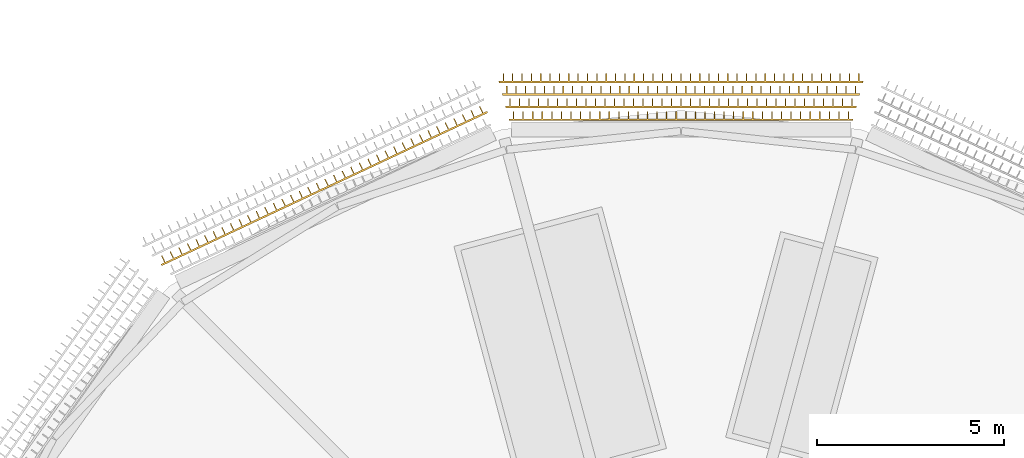
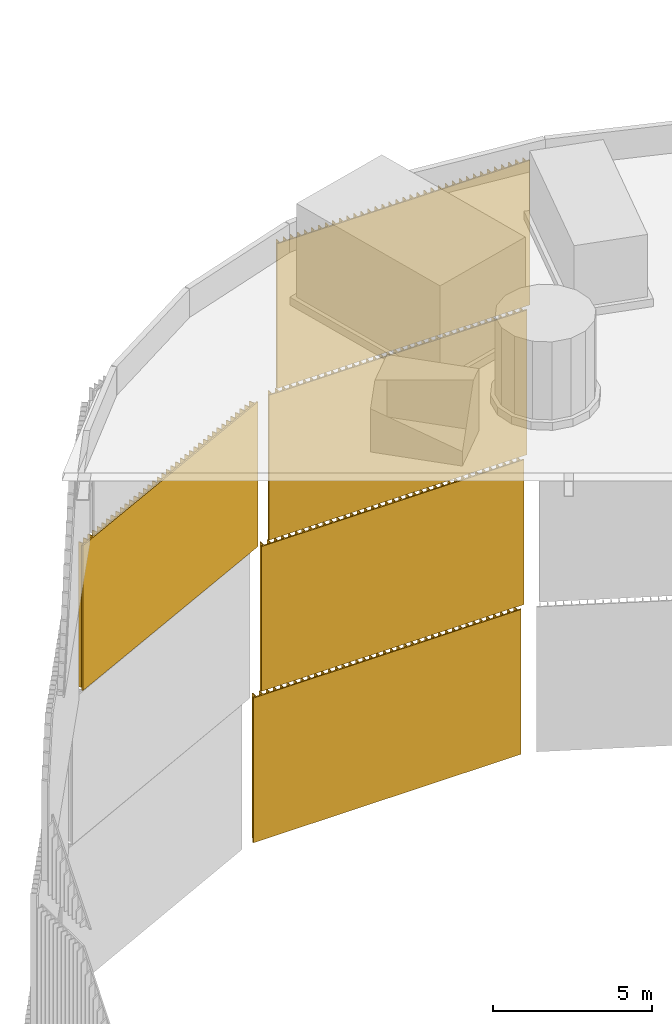
# One storey, part 11 of 24: 5 coverings.
"""IFC4 building model written with IfcOpenShell, lengths in metres."""

from ifc_helpers import new_model, si_unit, direction, frame, origin, place, context, subcontext, project, spatial, polyline, outline, extrude, material, type_object, element, save


model = new_model("IFC4")

# Units and contexts
model_context = context("Model", 3, precision=1e-05, world=origin(), true_north=direction((0.0, 1.0)))
body_context = subcontext(model_context, "Body", "Model", "MODEL_VIEW")
ifc_project = project(units=[si_unit("LENGTHUNIT", "METRE"), si_unit("AREAUNIT", "SQUARE_METRE"), si_unit("VOLUMEUNIT", "CUBIC_METRE"), si_unit("PLANEANGLEUNIT", "RADIAN"), si_unit("MASSUNIT", "GRAM", prefix="KILO")], contexts=[model_context])

# Site, building, storey
site_placement = place(None, origin())
site = spatial("IfcSite", under=ifc_project, at=site_placement, CompositionType="ELEMENT")
building_placement = place(site_placement, origin())
building = spatial("IfcBuilding", under=site, at=building_placement, Name="Rimbun Link Towers", CompositionType="ELEMENT")
storey_placement = place(building_placement, frame((0.0, 0.0, 294.89990234375)))
storey = spatial("IfcBuildingStorey", under=building, at=storey_placement, Name="Roof cap", CompositionType="ELEMENT", Elevation=294.89990234375)

# Coverings
ifc_material = material(Name="Terracotta", Category="masonry")
covering_type = type_object("IfcCoveringType", Name="TERRACOTTA CLADDING screen fins", PredefinedType="CLADDING", material=ifc_material)
covering_1_placement = place(storey_placement, frame((0.0, 0.0, -23.087890625)))
element("IfcCovering", 1, at=covering_1_placement, inside=storey, type_object=covering_type, Name="TERRACOTTA CLADDING screen", PredefinedType="CLADDING", context=body_context, shape_type="SweptSolid", body=[
    extrude(outline(polyline([(-26.86474609375, 19.212890625), (-26.97509765625, 19.212890625), (-26.97509765625, 19.4130859375), (-27.005126953125, 19.4130859375), (-27.005126953125, 19.212890625), (-27.2255859375, 19.212890625), (-27.2255859375, 19.4130859375), (-27.255615234375, 19.4130859375), (-27.255615234375, 19.212890625), (-27.47607421875, 19.212890625), (-27.47607421875, 19.4130859375), (-27.506103515625, 19.4130859375), (-27.506103515625, 19.212890625), (-27.726806640625, 19.212890625), (-27.726806640625, 19.4130859375), (-27.756591796875, 19.4130859375), (-27.756591796875, 19.212890625), (-27.977294921875, 19.212890625), (-27.977294921875, 19.4130859375), (-28.007080078125, 19.4130859375), (-28.007080078125, 19.212890625), (-28.227783203125, 19.212890625), (-28.227783203125, 19.4130859375), (-28.2578125, 19.4130859375), (-28.2578125, 19.212890625), (-28.478271484375, 19.212890625), (-28.478271484375, 19.4130859375), (-28.50830078125, 19.4130859375), (-28.50830078125, 19.212890625), (-28.728759765625, 19.212890625), (-28.728759765625, 19.4130859375), (-28.7587890625, 19.4130859375), (-28.7587890625, 19.212890625), (-28.979248046875, 19.212890625), (-28.979248046875, 19.4130859375), (-29.00927734375, 19.4130859375), (-29.00927734375, 19.212890625), (-29.229736328125, 19.212890625), (-29.229736328125, 19.4130859375), (-29.259765625, 19.4130859375), (-29.259765625, 19.212890625), (-29.480224609375, 19.212890625), (-29.480224609375, 19.4130859375), (-29.51025390625, 19.4130859375), (-29.51025390625, 19.212890625), (-29.730712890625, 19.212890625), (-29.730712890625, 19.4130859375), (-29.7607421875, 19.4130859375), (-29.7607421875, 19.212890625), (-29.9814453125, 19.212890625), (-29.9814453125, 19.4130859375), (-30.011474609375, 19.4130859375), (-30.011474609375, 19.212890625), (-30.23193359375, 19.212890625), (-30.23193359375, 19.4130859375), (-30.261962890625, 19.4130859375), (-30.261962890625, 19.212890625), (-30.482421875, 19.212890625), (-30.482421875, 19.4130859375), (-30.512451171875, 19.4130859375), (-30.512451171875, 19.212890625), (-30.73291015625, 19.212890625), (-30.73291015625, 19.4130859375), (-30.762939453125, 19.4130859375), (-30.762939453125, 19.212890625), (-30.9833984375, 19.212890625), (-30.9833984375, 19.4130859375), (-31.013427734375, 19.4130859375), (-31.013427734375, 19.212890625), (-31.23388671875, 19.212890625), (-31.23388671875, 19.4130859375), (-31.263916015625, 19.4130859375), (-31.263916015625, 19.212890625), (-31.484619140625, 19.212890625), (-31.484619140625, 19.4130859375), (-31.514404296875, 19.4130859375), (-31.514404296875, 19.212890625), (-31.735107421875, 19.212890625), (-31.735107421875, 19.4130859375), (-31.764892578125, 19.4130859375), (-31.764892578125, 19.212890625), (-31.985595703125, 19.212890625), (-31.985595703125, 19.4130859375), (-32.015380859375, 19.4130859375), (-32.015380859375, 19.212890625), (-32.236083984375, 19.212890625), (-32.236083984375, 19.4130859375), (-32.26611328125, 19.4130859375), (-32.26611328125, 19.212890625), (-32.486572265625, 19.212890625), (-32.486572265625, 19.4130859375), (-32.5166015625, 19.4130859375), (-32.5166015625, 19.212890625), (-32.737060546875, 19.212890625), (-32.737060546875, 19.4130859375), (-32.76708984375, 19.4130859375), (-32.76708984375, 19.212890625), (-32.987548828125, 19.212890625), (-32.987548828125, 19.4130859375), (-33.017578125, 19.4130859375), (-33.017578125, 19.212890625), (-33.238037109375, 19.212890625), (-33.238037109375, 19.4130859375), (-33.26806640625, 19.4130859375), (-33.26806640625, 19.212890625), (-33.488525390625, 19.212890625), (-33.488525390625, 19.4130859375), (-33.5185546875, 19.4130859375), (-33.5185546875, 19.212890625), (-33.7392578125, 19.212890625), (-33.7392578125, 19.4130859375), (-33.769287109375, 19.4130859375), (-33.769287109375, 19.212890625), (-33.98974609375, 19.212890625), (-33.98974609375, 19.4130859375), (-34.019775390625, 19.4130859375), (-34.019775390625, 19.212890625), (-34.240234375, 19.212890625), (-34.240234375, 19.4130859375), (-34.270263671875, 19.4130859375), (-34.270263671875, 19.212890625), (-34.49072265625, 19.212890625), (-34.49072265625, 19.4130859375), (-34.520751953125, 19.4130859375), (-34.520751953125, 19.212890625), (-34.7412109375, 19.212890625), (-34.7412109375, 19.4130859375), (-34.771240234375, 19.4130859375), (-34.771240234375, 19.212890625), (-34.99169921875, 19.212890625), (-34.99169921875, 19.4130859375), (-35.021728515625, 19.4130859375), (-35.021728515625, 19.212890625), (-35.2421875, 19.212890625), (-35.2421875, 19.4130859375), (-35.272216796875, 19.4130859375), (-35.272216796875, 19.212890625), (-35.492919921875, 19.212890625), (-35.492919921875, 19.4130859375), (-35.522705078125, 19.4130859375), (-35.522705078125, 19.212890625), (-35.743408203125, 19.212890625), (-35.743408203125, 19.4130859375), (-35.773193359375, 19.4130859375), (-35.773193359375, 19.212890625), (-35.993896484375, 19.212890625), (-35.993896484375, 19.4130859375), (-36.02392578125, 19.4130859375), (-36.02392578125, 19.212890625), (-36.244384765625, 19.212890625), (-36.244384765625, 19.4130859375), (-36.2744140625, 19.4130859375), (-36.2744140625, 19.212890625), (-36.494873046875, 19.212890625), (-36.494873046875, 19.4130859375), (-36.52490234375, 19.4130859375), (-36.52490234375, 19.212890625), (-36.63525390625, 19.212890625), (-36.621826171875, 19.1630859375), (-26.878173828125, 19.1630859375), (-26.86474609375, 19.212890625)])), origin(), (0.0, 0.0, 1.0), 5.575927734375),
])
covering_2_placement = place(storey_placement, frame((0.0, 0.0, -17.087890625)))
element("IfcCovering", 2, at=covering_2_placement, inside=storey, type_object=covering_type, Name="TERRACOTTA CLADDING screen", PredefinedType="CLADDING", context=body_context, shape_type="SweptSolid", body=[
    extrude(outline(polyline([(-26.955322265625, 18.875), (-27.066650390625, 18.875), (-27.066650390625, 19.074951171875), (-27.0966796875, 19.074951171875), (-27.0966796875, 18.875), (-27.319091796875, 18.875), (-27.319091796875, 19.074951171875), (-27.34912109375, 19.074951171875), (-27.34912109375, 18.875), (-27.5712890625, 18.875), (-27.5712890625, 19.074951171875), (-27.601318359375, 19.074951171875), (-27.601318359375, 18.875), (-27.82373046875, 18.875), (-27.82373046875, 19.074951171875), (-27.853759765625, 19.074951171875), (-27.853759765625, 18.875), (-28.075927734375, 18.875), (-28.075927734375, 19.074951171875), (-28.10595703125, 19.074951171875), (-28.10595703125, 18.875), (-28.328369140625, 18.875), (-28.328369140625, 19.074951171875), (-28.3583984375, 19.074951171875), (-28.3583984375, 18.875), (-28.580810546875, 18.875), (-28.580810546875, 19.074951171875), (-28.610595703125, 19.074951171875), (-28.610595703125, 18.875), (-28.8330078125, 18.875), (-28.8330078125, 19.074951171875), (-28.863037109375, 19.074951171875), (-28.863037109375, 18.875), (-29.08544921875, 18.875), (-29.08544921875, 19.074951171875), (-29.115478515625, 19.074951171875), (-29.115478515625, 18.875), (-29.337646484375, 18.875), (-29.337646484375, 19.074951171875), (-29.36767578125, 19.074951171875), (-29.36767578125, 18.875), (-29.590087890625, 18.875), (-29.590087890625, 19.074951171875), (-29.6201171875, 19.074951171875), (-29.6201171875, 18.875), (-29.84228515625, 18.875), (-29.84228515625, 19.074951171875), (-29.872314453125, 19.074951171875), (-29.872314453125, 18.875), (-30.0947265625, 18.875), (-30.0947265625, 19.074951171875), (-30.124755859375, 19.074951171875), (-30.124755859375, 18.875), (-30.34716796875, 18.875), (-30.34716796875, 19.074951171875), (-30.377197265625, 19.074951171875), (-30.377197265625, 18.875), (-30.599365234375, 18.875), (-30.599365234375, 19.074951171875), (-30.62939453125, 19.074951171875), (-30.62939453125, 18.875), (-30.851806640625, 18.875), (-30.851806640625, 19.074951171875), (-30.8818359375, 19.074951171875), (-30.8818359375, 18.875), (-31.10400390625, 18.875), (-31.10400390625, 19.074951171875), (-31.134033203125, 19.074951171875), (-31.134033203125, 18.875), (-31.3564453125, 18.875), (-31.3564453125, 19.074951171875), (-31.386474609375, 19.074951171875), (-31.386474609375, 18.875), (-31.60888671875, 18.875), (-31.60888671875, 19.074951171875), (-31.638916015625, 19.074951171875), (-31.638916015625, 18.875), (-31.861083984375, 18.875), (-31.861083984375, 19.074951171875), (-31.89111328125, 19.074951171875), (-31.89111328125, 18.875), (-32.113525390625, 18.875), (-32.113525390625, 19.074951171875), (-32.1435546875, 19.074951171875), (-32.1435546875, 18.875), (-32.365966796875, 18.875), (-32.365966796875, 19.074951171875), (-32.39599609375, 19.074951171875), (-32.39599609375, 18.875), (-32.6181640625, 18.875), (-32.6181640625, 19.074951171875), (-32.648193359375, 19.074951171875), (-32.648193359375, 18.875), (-32.87060546875, 18.875), (-32.87060546875, 19.074951171875), (-32.900634765625, 19.074951171875), (-32.900634765625, 18.875), (-33.122802734375, 18.875), (-33.122802734375, 19.074951171875), (-33.15283203125, 19.074951171875), (-33.15283203125, 18.875), (-33.375244140625, 18.875), (-33.375244140625, 19.074951171875), (-33.4052734375, 19.074951171875), (-33.4052734375, 18.875), (-33.627685546875, 18.875), (-33.627685546875, 19.074951171875), (-33.65771484375, 19.074951171875), (-33.65771484375, 18.875), (-33.8798828125, 18.875), (-33.8798828125, 19.074951171875), (-33.909912109375, 19.074951171875), (-33.909912109375, 18.875), (-34.13232421875, 18.875), (-34.13232421875, 19.074951171875), (-34.162353515625, 19.074951171875), (-34.162353515625, 18.875), (-34.384521484375, 18.875), (-34.384521484375, 19.074951171875), (-34.41455078125, 19.074951171875), (-34.41455078125, 18.875), (-34.636962890625, 18.875), (-34.636962890625, 19.074951171875), (-34.6669921875, 19.074951171875), (-34.6669921875, 18.875), (-34.889404296875, 18.875), (-34.889404296875, 19.074951171875), (-34.919189453125, 19.074951171875), (-34.919189453125, 18.875), (-35.1416015625, 18.875), (-35.1416015625, 19.074951171875), (-35.171630859375, 19.074951171875), (-35.171630859375, 18.875), (-35.39404296875, 18.875), (-35.39404296875, 19.074951171875), (-35.424072265625, 19.074951171875), (-35.424072265625, 18.875), (-35.646240234375, 18.875), (-35.646240234375, 19.074951171875), (-35.67626953125, 19.074951171875), (-35.67626953125, 18.875), (-35.898681640625, 18.875), (-35.898681640625, 19.074951171875), (-35.9287109375, 19.074951171875), (-35.9287109375, 18.875), (-36.15087890625, 18.875), (-36.15087890625, 19.074951171875), (-36.180908203125, 19.074951171875), (-36.180908203125, 18.875), (-36.4033203125, 18.875), (-36.4033203125, 19.074951171875), (-36.433349609375, 19.074951171875), (-36.433349609375, 18.875), (-36.544677734375, 18.875), (-36.53125, 18.824951171875), (-26.96875, 18.824951171875), (-26.955322265625, 18.875)])), origin(), (0.0, 0.0, 1.0), 5.575927734375),
])
covering_3_placement = place(storey_placement, frame((0.0, 0.0, -11.087890625)))
element("IfcCovering", 3, at=covering_3_placement, inside=storey, type_object=covering_type, Name="TERRACOTTA CLADDING screen", PredefinedType="CLADDING", context=body_context, shape_type="SweptSolid", body=[
    extrude(outline(polyline([(-27.0458984375, 18.536865234375), (-27.158203125, 18.536865234375), (-27.158203125, 18.73681640625), (-27.188232421875, 18.73681640625), (-27.188232421875, 18.536865234375), (-27.412353515625, 18.536865234375), (-27.412353515625, 18.73681640625), (-27.4423828125, 18.73681640625), (-27.4423828125, 18.536865234375), (-27.666748046875, 18.536865234375), (-27.666748046875, 18.73681640625), (-27.69677734375, 18.73681640625), (-27.69677734375, 18.536865234375), (-27.9208984375, 18.536865234375), (-27.9208984375, 18.73681640625), (-27.950927734375, 18.73681640625), (-27.950927734375, 18.536865234375), (-28.17529296875, 18.536865234375), (-28.17529296875, 18.73681640625), (-28.205322265625, 18.73681640625), (-28.205322265625, 18.536865234375), (-28.429443359375, 18.536865234375), (-28.429443359375, 18.73681640625), (-28.45947265625, 18.73681640625), (-28.45947265625, 18.536865234375), (-28.683837890625, 18.536865234375), (-28.683837890625, 18.73681640625), (-28.7138671875, 18.73681640625), (-28.7138671875, 18.536865234375), (-28.93798828125, 18.536865234375), (-28.93798828125, 18.73681640625), (-28.968017578125, 18.73681640625), (-28.968017578125, 18.536865234375), (-29.1923828125, 18.536865234375), (-29.1923828125, 18.73681640625), (-29.222412109375, 18.73681640625), (-29.222412109375, 18.536865234375), (-29.446533203125, 18.536865234375), (-29.446533203125, 18.73681640625), (-29.4765625, 18.73681640625), (-29.4765625, 18.536865234375), (-29.700927734375, 18.536865234375), (-29.700927734375, 18.73681640625), (-29.73095703125, 18.73681640625), (-29.73095703125, 18.536865234375), (-29.955078125, 18.536865234375), (-29.955078125, 18.73681640625), (-29.985107421875, 18.73681640625), (-29.985107421875, 18.536865234375), (-30.20947265625, 18.536865234375), (-30.20947265625, 18.73681640625), (-30.239501953125, 18.73681640625), (-30.239501953125, 18.536865234375), (-30.463623046875, 18.536865234375), (-30.463623046875, 18.73681640625), (-30.49365234375, 18.73681640625), (-30.49365234375, 18.536865234375), (-30.718017578125, 18.536865234375), (-30.718017578125, 18.73681640625), (-30.747802734375, 18.73681640625), (-30.747802734375, 18.536865234375), (-30.97216796875, 18.536865234375), (-30.97216796875, 18.73681640625), (-31.002197265625, 18.73681640625), (-31.002197265625, 18.536865234375), (-31.2265625, 18.536865234375), (-31.2265625, 18.73681640625), (-31.256591796875, 18.73681640625), (-31.256591796875, 18.536865234375), (-31.480712890625, 18.536865234375), (-31.480712890625, 18.73681640625), (-31.5107421875, 18.73681640625), (-31.5107421875, 18.536865234375), (-31.735107421875, 18.536865234375), (-31.735107421875, 18.73681640625), (-31.764892578125, 18.73681640625), (-31.764892578125, 18.536865234375), (-31.9892578125, 18.536865234375), (-31.9892578125, 18.73681640625), (-32.019287109375, 18.73681640625), (-32.019287109375, 18.536865234375), (-32.243408203125, 18.536865234375), (-32.243408203125, 18.73681640625), (-32.2734375, 18.73681640625), (-32.2734375, 18.536865234375), (-32.497802734375, 18.536865234375), (-32.497802734375, 18.73681640625), (-32.52783203125, 18.73681640625), (-32.52783203125, 18.536865234375), (-32.752197265625, 18.536865234375), (-32.752197265625, 18.73681640625), (-32.781982421875, 18.73681640625), (-32.781982421875, 18.536865234375), (-33.00634765625, 18.536865234375), (-33.00634765625, 18.73681640625), (-33.036376953125, 18.73681640625), (-33.036376953125, 18.536865234375), (-33.260498046875, 18.536865234375), (-33.260498046875, 18.73681640625), (-33.29052734375, 18.73681640625), (-33.29052734375, 18.536865234375), (-33.514892578125, 18.536865234375), (-33.514892578125, 18.73681640625), (-33.544921875, 18.73681640625), (-33.544921875, 18.536865234375), (-33.76904296875, 18.536865234375), (-33.76904296875, 18.73681640625), (-33.799072265625, 18.73681640625), (-33.799072265625, 18.536865234375), (-34.0234375, 18.536865234375), (-34.0234375, 18.73681640625), (-34.053466796875, 18.73681640625), (-34.053466796875, 18.536865234375), (-34.277587890625, 18.536865234375), (-34.277587890625, 18.73681640625), (-34.3076171875, 18.73681640625), (-34.3076171875, 18.536865234375), (-34.531982421875, 18.536865234375), (-34.531982421875, 18.73681640625), (-34.56201171875, 18.73681640625), (-34.56201171875, 18.536865234375), (-34.7861328125, 18.536865234375), (-34.7861328125, 18.73681640625), (-34.816162109375, 18.73681640625), (-34.816162109375, 18.536865234375), (-35.04052734375, 18.536865234375), (-35.04052734375, 18.73681640625), (-35.070556640625, 18.73681640625), (-35.070556640625, 18.536865234375), (-35.294677734375, 18.536865234375), (-35.294677734375, 18.73681640625), (-35.32470703125, 18.73681640625), (-35.32470703125, 18.536865234375), (-35.549072265625, 18.536865234375), (-35.549072265625, 18.73681640625), (-35.5791015625, 18.73681640625), (-35.5791015625, 18.536865234375), (-35.80322265625, 18.536865234375), (-35.80322265625, 18.73681640625), (-35.833251953125, 18.73681640625), (-35.833251953125, 18.536865234375), (-36.0576171875, 18.536865234375), (-36.0576171875, 18.73681640625), (-36.087646484375, 18.73681640625), (-36.087646484375, 18.536865234375), (-36.311767578125, 18.536865234375), (-36.311767578125, 18.73681640625), (-36.341796875, 18.73681640625), (-36.341796875, 18.536865234375), (-36.4541015625, 18.536865234375), (-36.440673828125, 18.48681640625), (-27.059326171875, 18.48681640625), (-27.0458984375, 18.536865234375)])), origin(), (0.0, 0.0, 1.0), 5.575927734375),
])
covering_4_placement = place(storey_placement, frame((0.0, 0.0, -11.087890625)))
element("IfcCovering", 4, at=covering_4_placement, inside=storey, type_object=covering_type, Name="TERRACOTTA CLADDING screen", PredefinedType="CLADDING", context=body_context, shape_type="SweptSolid", body=[
    extrude(outline(polyline([(-36.9443359375, 18.404541015625), (-37.0458984375, 18.356689453125), (-37.130859375, 18.537841796875), (-37.157958984375, 18.525146484375), (-37.072998046875, 18.343994140625), (-37.27587890625, 18.248779296875), (-37.361083984375, 18.429931640625), (-37.38818359375, 18.4169921875), (-37.30322265625, 18.236083984375), (-37.506103515625, 18.140869140625), (-37.59130859375, 18.32177734375), (-37.618408203125, 18.30908203125), (-37.533447265625, 18.1279296875), (-37.736328125, 18.03271484375), (-37.8212890625, 18.2138671875), (-37.848388671875, 18.201171875), (-37.763427734375, 18.02001953125), (-37.966552734375, 17.9248046875), (-38.051513671875, 18.105712890625), (-38.07861328125, 18.093017578125), (-37.99365234375, 17.912109375), (-38.19677734375, 17.816650390625), (-38.281494140625, 17.997802734375), (-38.308837890625, 17.985107421875), (-38.223876953125, 17.803955078125), (-38.4267578125, 17.708740234375), (-38.51171875, 17.8896484375), (-38.5390625, 17.876953125), (-38.4541015625, 17.69580078125), (-38.656982421875, 17.6005859375), (-38.741943359375, 17.78173828125), (-38.76904296875, 17.76904296875), (-38.68408203125, 17.587890625), (-38.88720703125, 17.49267578125), (-38.97216796875, 17.673583984375), (-38.999267578125, 17.660888671875), (-38.914306640625, 17.47998046875), (-39.1171875, 17.384521484375), (-39.202392578125, 17.565673828125), (-39.2294921875, 17.552978515625), (-39.14453125, 17.371826171875), (-39.347412109375, 17.276611328125), (-39.432373046875, 17.45751953125), (-39.459716796875, 17.44482421875), (-39.37451171875, 17.263916015625), (-39.57763671875, 17.168701171875), (-39.66259765625, 17.349609375), (-39.689697265625, 17.3369140625), (-39.604736328125, 17.15576171875), (-39.807861328125, 17.060546875), (-39.892578125, 17.24169921875), (-39.919921875, 17.228759765625), (-39.8349609375, 17.0478515625), (-40.037841796875, 16.952392578125), (-40.122802734375, 17.133544921875), (-40.150146484375, 17.120849609375), (-40.065185546875, 16.939697265625), (-40.26806640625, 16.844482421875), (-40.35302734375, 17.025390625), (-40.380126953125, 17.0126953125), (-40.295166015625, 16.831787109375), (-40.498291015625, 16.736572265625), (-40.583251953125, 16.91748046875), (-40.6103515625, 16.90478515625), (-40.525390625, 16.7236328125), (-40.728515625, 16.62841796875), (-40.8134765625, 16.8095703125), (-40.840576171875, 16.796630859375), (-40.755615234375, 16.61572265625), (-40.95849609375, 16.5205078125), (-41.04345703125, 16.701416015625), (-41.07080078125, 16.688720703125), (-40.985595703125, 16.5078125), (-41.188720703125, 16.412353515625), (-41.273681640625, 16.593505859375), (-41.30078125, 16.580810546875), (-41.2158203125, 16.399658203125), (-41.4189453125, 16.304443359375), (-41.50390625, 16.4853515625), (-41.531005859375, 16.47265625), (-41.446044921875, 16.29150390625), (-41.64892578125, 16.1962890625), (-41.73388671875, 16.37744140625), (-41.76123046875, 16.364501953125), (-41.67626953125, 16.18359375), (-41.879150390625, 16.08837890625), (-41.964111328125, 16.269287109375), (-41.9912109375, 16.256591796875), (-41.90625, 16.07568359375), (-42.109375, 15.980224609375), (-42.1943359375, 16.161376953125), (-42.221435546875, 16.148681640625), (-42.136474609375, 15.967529296875), (-42.339599609375, 15.872314453125), (-42.424560546875, 16.05322265625), (-42.45166015625, 16.04052734375), (-42.36669921875, 15.859619140625), (-42.569580078125, 15.76416015625), (-42.654541015625, 15.9453125), (-42.681884765625, 15.9326171875), (-42.5966796875, 15.75146484375), (-42.7998046875, 15.65625), (-42.884765625, 15.83740234375), (-42.911865234375, 15.824462890625), (-42.826904296875, 15.6435546875), (-43.030029296875, 15.548095703125), (-43.114990234375, 15.729248046875), (-43.14208984375, 15.716552734375), (-43.05712890625, 15.535400390625), (-43.260009765625, 15.440185546875), (-43.34521484375, 15.62109375), (-43.372314453125, 15.6083984375), (-43.287353515625, 15.427490234375), (-43.490234375, 15.332275390625), (-43.5751953125, 15.51318359375), (-43.602294921875, 15.50048828125), (-43.517333984375, 15.3193359375), (-43.720458984375, 15.22412109375), (-43.805419921875, 15.4052734375), (-43.83251953125, 15.392333984375), (-43.74755859375, 15.21142578125), (-43.95068359375, 15.1162109375), (-44.03564453125, 15.297119140625), (-44.062744140625, 15.284423828125), (-43.977783203125, 15.103515625), (-44.1806640625, 15.008056640625), (-44.265625, 15.189208984375), (-44.29296875, 15.176513671875), (-44.2080078125, 14.995361328125), (-44.410888671875, 14.900146484375), (-44.495849609375, 15.0810546875), (-44.52294921875, 15.068359375), (-44.43798828125, 14.88720703125), (-44.64111328125, 14.7919921875), (-44.72607421875, 14.97314453125), (-44.753173828125, 14.960205078125), (-44.668212890625, 14.779296875), (-44.87109375, 14.68408203125), (-44.956298828125, 14.864990234375), (-44.9833984375, 14.852294921875), (-44.8984375, 14.67138671875), (-45.101318359375, 14.575927734375), (-45.186279296875, 14.757080078125), (-45.21337890625, 14.744384765625), (-45.12841796875, 14.563232421875), (-45.33154296875, 14.468017578125), (-45.41650390625, 14.64892578125), (-45.443603515625, 14.63623046875), (-45.358642578125, 14.455078125), (-45.561767578125, 14.35986328125), (-45.646728515625, 14.541015625), (-45.673828125, 14.5283203125), (-45.5888671875, 14.34716796875), (-45.690185546875, 14.299560546875), (-45.652587890625, 14.261962890625), (-36.93115234375, 18.35546875), (-36.9443359375, 18.404541015625)])), origin(), (0.0, 0.0, 1.0), 5.575927734375),
])
covering_5_placement = place(storey_placement, frame((0.0, 0.0, -5.087890625)))
element("IfcCovering", 5, at=covering_5_placement, inside=storey, type_object=covering_type, Name="TERRACOTTA CLADDING screen", PredefinedType="CLADDING", context=body_context, shape_type="SweptSolid", body=[
    extrude(outline(polyline([(-27.13671875, 18.19873046875), (-27.249755859375, 18.19873046875), (-27.249755859375, 18.398681640625), (-27.27978515625, 18.398681640625), (-27.27978515625, 18.19873046875), (-27.506103515625, 18.19873046875), (-27.506103515625, 18.398681640625), (-27.5361328125, 18.398681640625), (-27.5361328125, 18.19873046875), (-27.762451171875, 18.19873046875), (-27.762451171875, 18.398681640625), (-27.79248046875, 18.398681640625), (-27.79248046875, 18.19873046875), (-28.018798828125, 18.19873046875), (-28.018798828125, 18.398681640625), (-28.048583984375, 18.398681640625), (-28.048583984375, 18.19873046875), (-28.27490234375, 18.19873046875), (-28.27490234375, 18.398681640625), (-28.304931640625, 18.398681640625), (-28.304931640625, 18.19873046875), (-28.53125, 18.19873046875), (-28.53125, 18.398681640625), (-28.561279296875, 18.398681640625), (-28.561279296875, 18.19873046875), (-28.78759765625, 18.19873046875), (-28.78759765625, 18.398681640625), (-28.817626953125, 18.398681640625), (-28.817626953125, 18.19873046875), (-29.0439453125, 18.19873046875), (-29.0439453125, 18.398681640625), (-29.073974609375, 18.398681640625), (-29.073974609375, 18.19873046875), (-29.30029296875, 18.19873046875), (-29.30029296875, 18.398681640625), (-29.330078125, 18.398681640625), (-29.330078125, 18.19873046875), (-29.556396484375, 18.19873046875), (-29.556396484375, 18.398681640625), (-29.58642578125, 18.398681640625), (-29.58642578125, 18.19873046875), (-29.812744140625, 18.19873046875), (-29.812744140625, 18.398681640625), (-29.8427734375, 18.398681640625), (-29.8427734375, 18.19873046875), (-30.069091796875, 18.19873046875), (-30.069091796875, 18.398681640625), (-30.09912109375, 18.398681640625), (-30.09912109375, 18.19873046875), (-30.325439453125, 18.19873046875), (-30.325439453125, 18.398681640625), (-30.35546875, 18.398681640625), (-30.35546875, 18.19873046875), (-30.581787109375, 18.19873046875), (-30.581787109375, 18.398681640625), (-30.61181640625, 18.398681640625), (-30.61181640625, 18.19873046875), (-30.837890625, 18.19873046875), (-30.837890625, 18.398681640625), (-30.867919921875, 18.398681640625), (-30.867919921875, 18.19873046875), (-31.09423828125, 18.19873046875), (-31.09423828125, 18.398681640625), (-31.124267578125, 18.398681640625), (-31.124267578125, 18.19873046875), (-31.3505859375, 18.19873046875), (-31.3505859375, 18.398681640625), (-31.380615234375, 18.398681640625), (-31.380615234375, 18.19873046875), (-31.60693359375, 18.19873046875), (-31.60693359375, 18.398681640625), (-31.636962890625, 18.398681640625), (-31.636962890625, 18.19873046875), (-31.863037109375, 18.19873046875), (-31.863037109375, 18.398681640625), (-31.89306640625, 18.398681640625), (-31.89306640625, 18.19873046875), (-32.119384765625, 18.19873046875), (-32.119384765625, 18.398681640625), (-32.1494140625, 18.398681640625), (-32.1494140625, 18.19873046875), (-32.375732421875, 18.19873046875), (-32.375732421875, 18.398681640625), (-32.40576171875, 18.398681640625), (-32.40576171875, 18.19873046875), (-32.632080078125, 18.19873046875), (-32.632080078125, 18.398681640625), (-32.662109375, 18.398681640625), (-32.662109375, 18.19873046875), (-32.88818359375, 18.19873046875), (-32.88818359375, 18.398681640625), (-32.918212890625, 18.398681640625), (-32.918212890625, 18.19873046875), (-33.14453125, 18.19873046875), (-33.14453125, 18.398681640625), (-33.174560546875, 18.398681640625), (-33.174560546875, 18.19873046875), (-33.40087890625, 18.19873046875), (-33.40087890625, 18.398681640625), (-33.430908203125, 18.398681640625), (-33.430908203125, 18.19873046875), (-33.6572265625, 18.19873046875), (-33.6572265625, 18.398681640625), (-33.687255859375, 18.398681640625), (-33.687255859375, 18.19873046875), (-33.91357421875, 18.19873046875), (-33.91357421875, 18.398681640625), (-33.943603515625, 18.398681640625), (-33.943603515625, 18.19873046875), (-34.169921875, 18.19873046875), (-34.169921875, 18.398681640625), (-34.19970703125, 18.398681640625), (-34.19970703125, 18.19873046875), (-34.426025390625, 18.19873046875), (-34.426025390625, 18.398681640625), (-34.4560546875, 18.398681640625), (-34.4560546875, 18.19873046875), (-34.682373046875, 18.19873046875), (-34.682373046875, 18.398681640625), (-34.71240234375, 18.398681640625), (-34.71240234375, 18.19873046875), (-34.938720703125, 18.19873046875), (-34.938720703125, 18.398681640625), (-34.96875, 18.398681640625), (-34.96875, 18.19873046875), (-35.195068359375, 18.19873046875), (-35.195068359375, 18.398681640625), (-35.22509765625, 18.398681640625), (-35.22509765625, 18.19873046875), (-35.451416015625, 18.19873046875), (-35.451416015625, 18.398681640625), (-35.481201171875, 18.398681640625), (-35.481201171875, 18.19873046875), (-35.70751953125, 18.19873046875), (-35.70751953125, 18.398681640625), (-35.737548828125, 18.398681640625), (-35.737548828125, 18.19873046875), (-35.9638671875, 18.19873046875), (-35.9638671875, 18.398681640625), (-35.993896484375, 18.398681640625), (-35.993896484375, 18.19873046875), (-36.22021484375, 18.19873046875), (-36.22021484375, 18.398681640625), (-36.250244140625, 18.398681640625), (-36.250244140625, 18.19873046875), (-36.36328125, 18.19873046875), (-36.35009765625, 18.148681640625), (-27.14990234375, 18.148681640625), (-27.13671875, 18.19873046875)])), origin(), (0.0, 0.0, 1.0), 5.575927734375),
])

save(model, "model.ifc")
